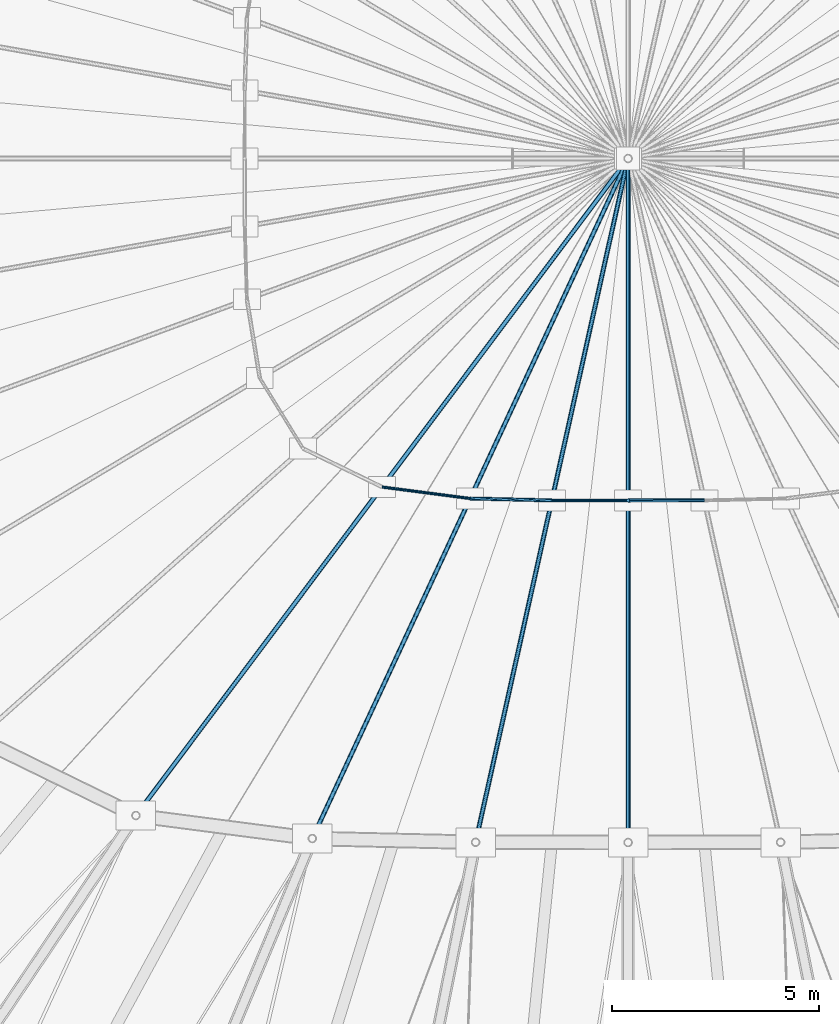
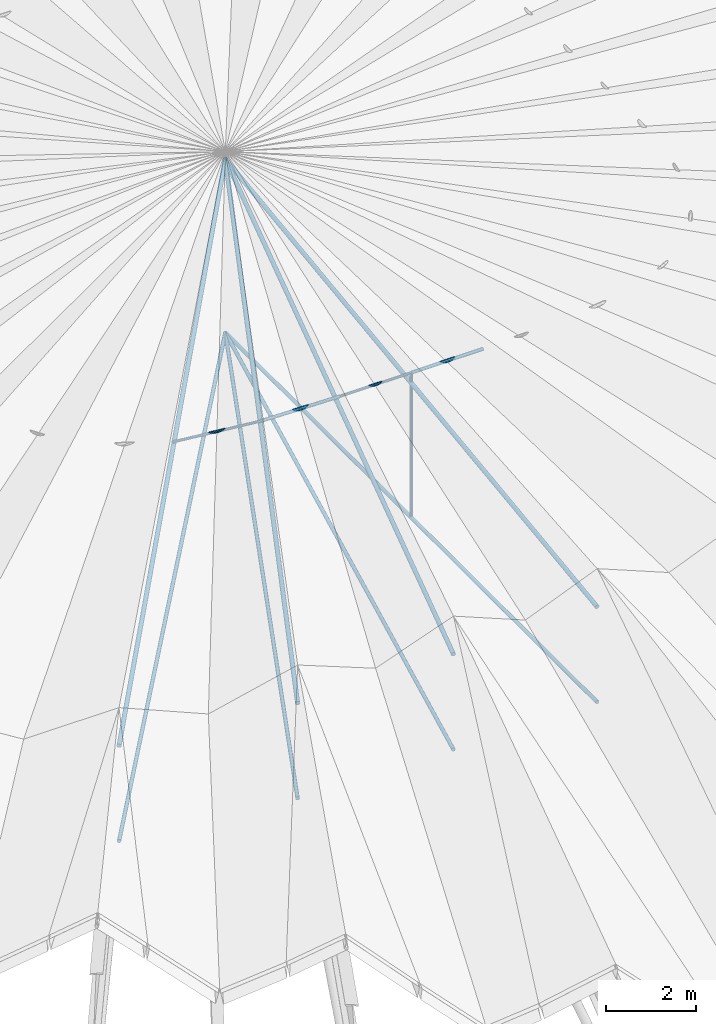
# One storey, part 7 of 41: 13 members.
"""IFC4 building model written with IfcOpenShell, lengths in metres."""

from ifc_helpers import new_model, si_unit, direction, frame, origin, origin_2d, place, context, subcontext, project, spatial, circle, extrude, material, material_profile, profile_set, type_object, element, save


model = new_model("IFC4")

# Units and contexts
model_context = context("Model", 3, precision=1e-05, world=origin(), true_north=direction((0.0, 1.0)))
body_context = subcontext(model_context, "Body", "Model", "MODEL_VIEW")
ifc_project = project(units=[si_unit("LENGTHUNIT", "METRE"), si_unit("AREAUNIT", "SQUARE_METRE"), si_unit("VOLUMEUNIT", "CUBIC_METRE"), si_unit("PLANEANGLEUNIT", "RADIAN"), si_unit("MASSUNIT", "GRAM", prefix="KILO")], contexts=[model_context])

# Site, building, storey
site_placement = place(None, origin())
site = spatial("IfcSite", under=ifc_project, at=site_placement, CompositionType="ELEMENT")
building_placement = place(site_placement, origin())
building = spatial("IfcBuilding", under=site, at=building_placement, Name="Luwafu Chhajja Arena", CompositionType="ELEMENT")
storey_placement = place(building_placement, frame((0.0, 0.0, 29.699951171875)))
storey = spatial("IfcBuildingStorey", under=building, at=storey_placement, Name="RF", CompositionType="ELEMENT", Elevation=29.699951171875)

# Members
ifc_material = material(Name="Steel S460", Category="steel")
ifc_material_profile_1 = material_profile(ifc_material, circle(Radius=0.04248046875, at=origin_2d()), Name="CABLE D85")
ifc_profile_set_1 = profile_set([ifc_material_profile_1], Name="Steel S460")
member_type_1 = type_object("IfcMemberType", Name="Oculus Hoop Tie Cable D85", PredefinedType="USERDEFINED", material=ifc_profile_set_1)
member_1_placement = place(storey_placement, frame((95.190673828125, 41.2978515625, 8.02001953125), z_axis=(0.999731565155, -0.023168893628, 0.0), x_axis=(0.023168893628, 0.999731565155, 0.0)))
element("IfcMember", 1, at=member_1_placement, inside=storey, type_object=member_type_1, Name="Cable net hoop cable CBH-23", ObjectType="CABLE", PredefinedType="USERDEFINED", context=body_context, shape_type="SweptSolid", body=[
    extrude(circle(Radius=0.04248046875, at=origin_2d()), origin(), (0.0, 0.0, 1.0), 1.970458984375),
])
member_2_placement = place(storey_placement, frame((99.0, 41.25, 8.02001953125), z_axis=(0.999999286485, 0.001194583698, 0.0), x_axis=(-0.001194583698, 0.999999286485, 0.0)))
element("IfcMember", 2, at=member_2_placement, inside=storey, type_object=member_type_1, Name="Cable net hoop cable CBH-25", ObjectType="CABLE", PredefinedType="USERDEFINED", context=body_context, shape_type="SweptSolid", body=[
    extrude(circle(Radius=0.04248046875, at=origin_2d()), origin(), (0.0, 0.0, 1.0), 1.83935546875),
])
ifc_material_profile_2 = material_profile(ifc_material, circle(Radius=0.054931640625, at=origin_2d()), Name="CABLE D110")
ifc_profile_set_2 = profile_set([ifc_material_profile_2], Name="Steel S460")
member_type_2 = type_object("IfcMemberType", Name="Oculus Radial Main Cable D110", PredefinedType="USERDEFINED", material=ifc_profile_set_2)
member_3_placement = place(storey_placement, frame((87.125732421875, 33.64990234375, 6.679931640625), z_axis=(0.596163636686, 0.795775554022, 0.106443346033), x_axis=(-0.800322370403, 0.599569932062, 0.0)))
element("IfcMember", 3, at=member_3_placement, inside=storey, type_object=member_type_2, Name="Cable net main cable CBM-22", ObjectType="CABLE", PredefinedType="USERDEFINED", context=body_context, shape_type="SweptSolid", body=[
    extrude(circle(Radius=0.054931640625, at=origin_2d()), origin(), (0.0, 0.0, 1.0), 19.917724609375),
])
member_4_placement = place(storey_placement, frame((91.38134765625, 33.095458984375, 6.679931640625), z_axis=(0.418349875467, 0.900794180037, 0.116418327198), x_axis=(-0.906961273294, 0.421214017746, 0.0)))
element("IfcMember", 4, at=member_4_placement, inside=storey, type_object=member_type_2, Name="Cable net main cable CBM-23", ObjectType="CABLE", PredefinedType="USERDEFINED", context=body_context, shape_type="SweptSolid", body=[
    extrude(circle(Radius=0.054931640625, at=origin_2d()), origin(), (0.0, 0.0, 1.0), 18.211181640625),
])
member_5_placement = place(storey_placement, frame((95.321044921875, 33.00439453125, 6.679931640625), z_axis=(0.215985560468, 0.968430577916, 0.124468684525), x_axis=(-0.976020566131, 0.21767832802, 0.0)))
element("IfcMember", 5, at=member_5_placement, inside=storey, type_object=member_type_2, Name="Cable net main cable CBM-24", ObjectType="CABLE", PredefinedType="USERDEFINED", context=body_context, shape_type="SweptSolid", body=[
    extrude(circle(Radius=0.054931640625, at=origin_2d()), origin(), (0.0, 0.0, 1.0), 17.033447265625),
])
member_6_placement = place(storey_placement, frame((99.0, 33.0, 6.679931640625), z_axis=(0.0, 0.99184574271, 0.127444194331), x_axis=(-1.0, 0.0, 0.0)))
element("IfcMember", 6, at=member_6_placement, inside=storey, type_object=member_type_2, Name="Cable net main cable CBM-25", ObjectType="CABLE", PredefinedType="USERDEFINED", context=body_context, shape_type="SweptSolid", body=[
    extrude(circle(Radius=0.054931640625, at=origin_2d()), origin(), (0.0, 0.0, 1.0), 16.6357421875),
])
ifc_material_profile_3 = material_profile(ifc_material, circle(Radius=0.047607421875, at=origin_2d()), Name="CABLE D95")
ifc_profile_set_3 = profile_set([ifc_material_profile_3], Name="Steel S460")
member_type_3 = type_object("IfcMemberType", Name="Oculus Radial Stabilizing Cable D95", PredefinedType="USERDEFINED", material=ifc_profile_set_3)
member_7_placement = place(storey_placement, frame((87.125732421875, 33.64990234375, 4.10009765625), z_axis=(0.599569932062, 0.800322370403, 0.0), x_axis=(-0.800322370403, 0.599569932062, 0.0)))
element("IfcMember", 7, at=member_7_placement, inside=storey, type_object=member_type_3, Name="Cable net radial split stabilizing cable CBS-22", ObjectType="CABLE", PredefinedType="USERDEFINED", context=body_context, shape_type="SweptSolid", body=[
    extrude(circle(Radius=0.047607421875, at=origin_2d()), origin(), (0.0, 0.0, 1.0), 19.8046875),
])
member_8_placement = place(storey_placement, frame((91.38134765625, 33.095458984375, 4.10009765625), z_axis=(0.421214017746, 0.906961273294, 0.0), x_axis=(-0.906961273294, 0.421214017746, 0.0)))
element("IfcMember", 8, at=member_8_placement, inside=storey, type_object=member_type_3, Name="Cable net radial split stabilizing cable CBS-23", ObjectType="CABLE", PredefinedType="USERDEFINED", context=body_context, shape_type="SweptSolid", body=[
    extrude(circle(Radius=0.047607421875, at=origin_2d()), origin(), (0.0, 0.0, 1.0), 18.08740234375),
])
member_9_placement = place(storey_placement, frame((95.321044921875, 33.00439453125, 4.10009765625), z_axis=(0.21767832802, 0.976020566131, 0.0), x_axis=(-0.976020566131, 0.21767832802, 0.0)))
element("IfcMember", 9, at=member_9_placement, inside=storey, type_object=member_type_3, Name="Cable net radial split stabilizing cable CBS-24", ObjectType="CABLE", PredefinedType="USERDEFINED", context=body_context, shape_type="SweptSolid", body=[
    extrude(circle(Radius=0.047607421875, at=origin_2d()), origin(), (0.0, 0.0, 1.0), 16.90087890625),
])
member_10_placement = place(storey_placement, frame((99.0, 33.0, 4.10009765625), z_axis=(0.0, 1.0, 0.0), x_axis=(-1.0, 0.0, 0.0)))
element("IfcMember", 10, at=member_10_placement, inside=storey, type_object=member_type_3, Name="Cable net radial split stabilizing cable CBS-25", ObjectType="CABLE", PredefinedType="USERDEFINED", context=body_context, shape_type="SweptSolid", body=[
    extrude(circle(Radius=0.047607421875, at=origin_2d()), origin(), (0.0, 0.0, 1.0), 16.5),
])
ifc_material_profile_4 = material_profile(ifc_material, circle(Radius=0.034912109375, at=origin_2d()), Name="CABLE D70")
ifc_profile_set_4 = profile_set([ifc_material_profile_4], Name="Steel S460")
member_type_4 = type_object("IfcMemberType", Name="Oculus Secondary Tie Cable D70", PredefinedType="USERDEFINED", material=ifc_profile_set_4)
member_11_placement = place(storey_placement, frame((93.062744140625, 41.574951171875, 8.02001953125), z_axis=(0.991627668784, -0.129130037181, 0.0), x_axis=(0.129130037181, 0.991627668784, 0.0)))
element("IfcMember", 11, at=member_11_placement, inside=storey, type_object=member_type_4, Name="Cable net hoop cable CBH-22", ObjectType="CABLE", PredefinedType="USERDEFINED", context=body_context, shape_type="SweptSolid", body=[
    extrude(circle(Radius=0.034912109375, at=origin_2d()), origin(), (0.0, 0.0, 1.0), 2.14599609375),
])
member_12_placement = place(storey_placement, frame((97.16064453125, 41.252197265625, 8.02001953125), z_axis=(0.999999286485, -0.001194583698, 0.0), x_axis=(0.001194583698, 0.999999286485, 0.0)))
element("IfcMember", 12, at=member_12_placement, inside=storey, type_object=member_type_4, Name="Cable net hoop cable CBH-24", ObjectType="CABLE", PredefinedType="USERDEFINED", context=body_context, shape_type="SweptSolid", body=[
    extrude(circle(Radius=0.034912109375, at=origin_2d()), origin(), (0.0, 0.0, 1.0), 1.83935546875),
])
member_13_placement = place(storey_placement, frame((99.0, 41.25, 4.10009765625), z_axis=(0.0, 0.0, 1.0), x_axis=(1.0, 0.0, 0.0)))
element("IfcMember", 13, at=member_13_placement, inside=storey, type_object=member_type_4, Name="Cable net vertical hanger tie CBT-07", ObjectType="CABLE", PredefinedType="USERDEFINED", context=body_context, shape_type="SweptSolid", body=[
    extrude(circle(Radius=0.034912109375, at=origin_2d()), origin(), (0.0, 0.0, 1.0), 3.919921875),
])

save(model, "model.ifc")
